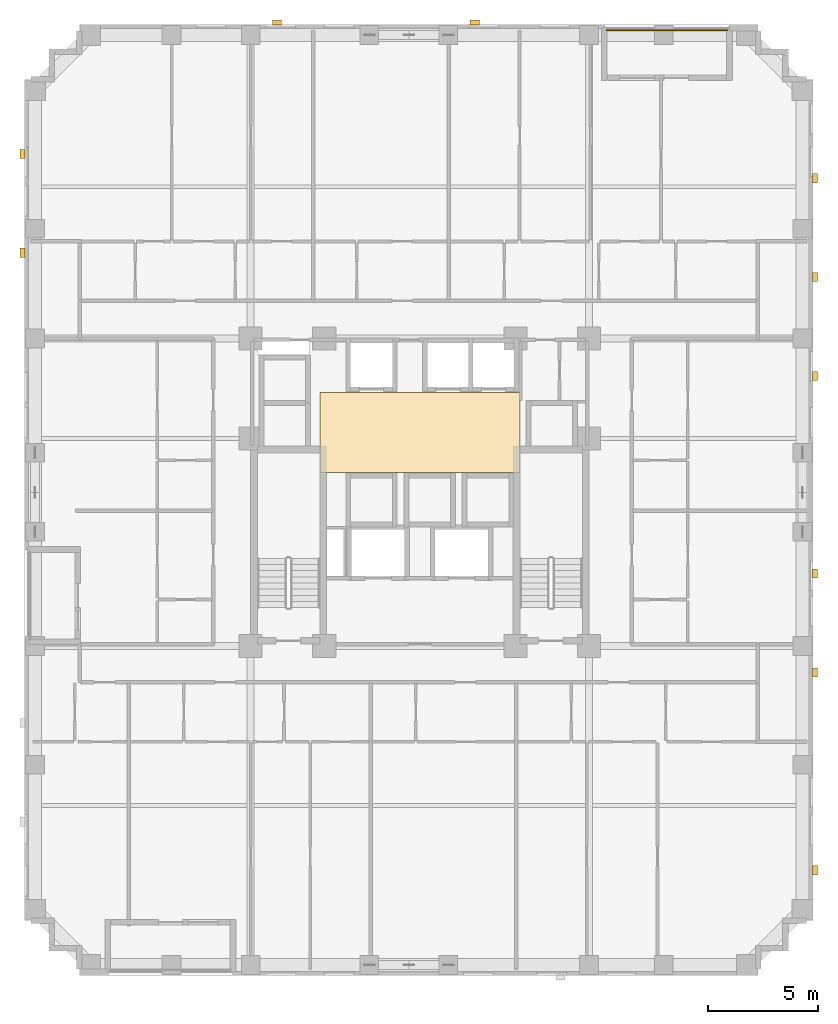
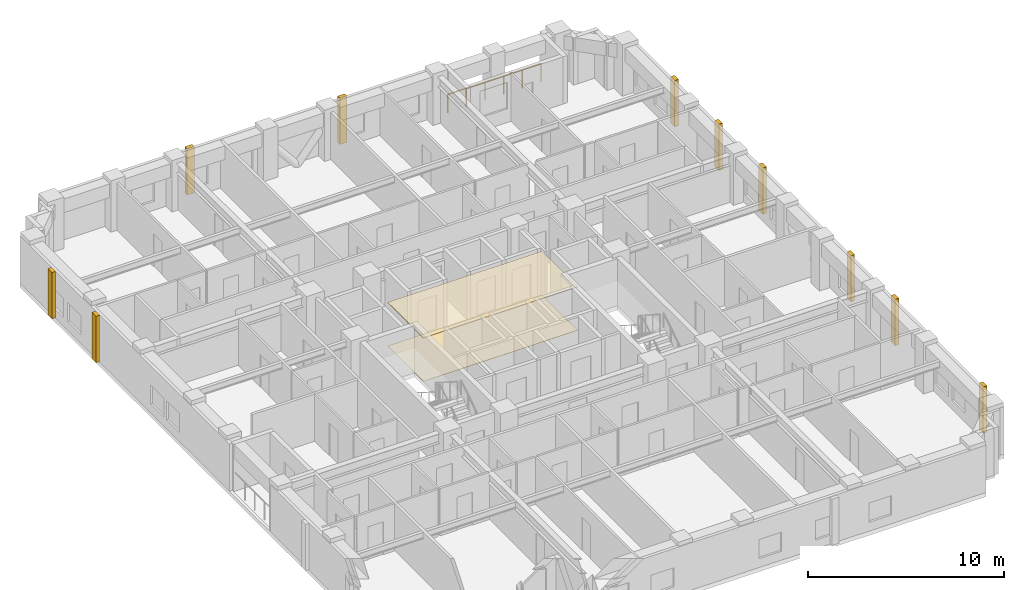
# One storey, part 12 of 12: 12 coverings, 1 railing.
"""IFC4 building model written with IfcOpenShell, lengths in metres."""

from ifc_helpers import new_model, si_unit, derived_unit, direction, frame, origin, origin_2d, place, context, subcontext, project, spatial, polyline, rectangle, circle, outline, extrude, material, layer, layer_set, type_object, element, save


model = new_model("IFC4")

# Units and contexts
model_context = context("Model", 3, precision=1e-05, world=origin(), true_north=direction((0.0, 1.0)))
body_context = subcontext(model_context, "Body", "Model", "MODEL_VIEW")
ifc_project = project(units=[si_unit("LENGTHUNIT", "METRE"), si_unit("AREAUNIT", "SQUARE_METRE"), si_unit("VOLUMEUNIT", "CUBIC_METRE"), si_unit("PLANEANGLEUNIT", "RADIAN"), si_unit("MASSUNIT", "GRAM", prefix="KILO"), derived_unit("THERMALTRANSMITTANCEUNIT", [(si_unit("MASSUNIT", "GRAM", prefix="KILO"), 1), (si_unit("TIMEUNIT", "SECOND"), -3), (si_unit("THERMODYNAMICTEMPERATUREUNIT", "KELVIN"), -1)])], contexts=[model_context])

# Site, building, storey
site_placement = place(None, origin())
site = spatial("IfcSite", under=ifc_project, at=site_placement, CompositionType="ELEMENT")
building_placement = place(site_placement, origin())
building = spatial("IfcBuilding", under=site, at=building_placement, Name="Korrvale Station Residences", CompositionType="ELEMENT")
storey_placement = place(building_placement, frame((0.0, 0.0, 91.10009765625)))
storey = spatial("IfcBuildingStorey", under=building, at=storey_placement, Name="L25", CompositionType="ELEMENT", Elevation=91.10009765625)

# Coverings
ifc_material_1 = material(Name="Perforated acoustic mineral-fibre suspended ceiling", Category="gypsum")
ifc_layer_1 = layer(ifc_material_1, 0.050048828125, Name="Perforated acoustic mineral-fibre suspended ceiling")
ifc_layer_set_1 = layer_set([ifc_layer_1], Name="Perforated acoustic mineral-fibre suspended ceiling")
covering_type_1 = type_object("IfcCoveringType", Name="COV-CLG-AC60", PredefinedType="CEILING", material=ifc_layer_set_1)
covering_1_placement = place(storey_placement, frame((0.0, 0.0, 2.68994140625)))
element("IfcCovering", 1, at=covering_1_placement, inside=storey, type_object=covering_type_1, Name="L25 Elevator Lobby Acoustic Ceiling", PredefinedType="CEILING", context=body_context, shape_type="SweptSolid", body=[
    extrude(outline(polyline([(20.949951171875, 22.89990234375), (30.050048828125, 22.89990234375), (30.050048828125, 26.550048828125), (20.949951171875, 26.550048828125), (20.949951171875, 22.89990234375)])), origin(), (0.0, 0.0, 1.0), 0.050048828125),
])
ifc_material_2 = material(Name="Polished quartz-terrazzo lobby flooring", Category="masonry")
ifc_layer_2 = layer(ifc_material_2, 0.02001953125, Name="Polished quartz-terrazzo lobby flooring")
ifc_layer_set_2 = layer_set([ifc_layer_2], Name="Polished quartz-terrazzo lobby flooring")
covering_type_2 = type_object("IfcCoveringType", Name="COV-FLR-TER20", PredefinedType="FLOORING", material=ifc_layer_set_2)
covering_2_placement = place(storey_placement, origin())
element("IfcCovering", 2, at=covering_2_placement, inside=storey, type_object=covering_type_2, Name="L25 Elevator Lobby Terrazzo Flooring", PredefinedType="FLOORING", context=body_context, shape_type="SweptSolid", body=[
    extrude(outline(polyline([(20.949951171875, 22.89990234375), (30.050048828125, 22.89990234375), (30.050048828125, 26.550048828125), (20.949951171875, 26.550048828125), (20.949951171875, 22.89990234375)])), origin(), (0.0, 0.0, 1.0), 0.02001953125),
])
ifc_material_3 = material(Name="Architectural precast concrete C45/55", Category="concrete")
ifc_layer_3 = layer(ifc_material_3, 0.219970703125, Name="Architectural precast concrete C45/55")
ifc_layer_set_3 = layer_set([ifc_layer_3], Name="Architectural precast concrete C45/55")
covering_type_3 = type_object("IfcCoveringType", Name="COV-PIER-400", PredefinedType="CLADDING", material=ifc_layer_set_3)
for number, where, z_axis, x_axis, name in (
    (3, (19.0, 43.389892578125, 0.02490234375), (0.0, 0.0, 1.0), (1.0, 0.0, 0.0), "L25 Architectural Precast Facade Pier 02"),
    (4, (28.0, 43.389892578125, 0.02490234375), (0.0, 0.0, 1.0), (1.0, 0.0, 0.0), "L25 Architectural Precast Facade Pier 03"),
    (5, (7.409912109375, 32.89990234375, 0.02490234375), (0.0, 0.0, 1.0), (0.0, 1.0, 0.0), "L25 Architectural Precast Facade Pier 06"),
    (6, (7.409912109375, 37.39990234375, 0.02490234375), (0.0, 0.0, 1.0), (0.0, 1.0, 0.0), "L25 Architectural Precast Facade Pier 07"),
    (7, (43.489990234375, 36.300048828125, 0.02490234375), (0.0, 0.0, 1.0), (0.0, 1.0, 0.0), "L25 Architectural Precast Facade Pier 08"),
    (8, (43.489990234375, 31.800048828125, 0.02490234375), (0.0, 0.0, 1.0), (0.0, 1.0, 0.0), "L25 Architectural Precast Facade Pier 09"),
    (9, (43.489990234375, 27.300048828125, 0.02490234375), (0.0, 0.0, 1.0), (0.0, 1.0, 0.0), "L25 Architectural Precast Facade Pier 10"),
    (10, (43.489990234375, 18.300048828125, 0.02490234375), (0.0, 0.0, 1.0), (0.0, 1.0, 0.0), "L25 Architectural Precast Facade Pier 11"),
    (11, (43.489990234375, 13.800048828125, 0.02490234375), (0.0, 0.0, 1.0), (0.0, 1.0, 0.0), "L25 Architectural Precast Facade Pier 12"),
    (12, (43.489990234375, 4.800048828125, 0.02490234375), (0.0, 0.0, 1.0), (0.0, 1.0, 0.0), "L25 Architectural Precast Facade Pier 13"),
):
    element("IfcCovering", number, at=place(storey_placement, frame(where, z_axis=z_axis, x_axis=x_axis)), inside=storey, type_object=covering_type_3, Name=name, PredefinedType="CLADDING", context=body_context, shape_type="SweptSolid", body=[
        extrude(rectangle(XDim=0.419921875, YDim=0.219970703125, at=origin_2d()), origin(), (0.0, 0.0, 1.0), 2.889892578125),
    ])

# Railing
ifc_material_4 = material(Name="Powder-coated aluminium picket loggia guard", Category="aluminium")
railing_type = type_object("IfcRailingType", Name="RLG-BAL-1150", PredefinedType="GUARDRAIL", material=ifc_material_4)
railing_placement = place(storey_placement, frame((34.0, 43.030029296875, 0.0)))
element("IfcRailing", 13, at=railing_placement, inside=storey, type_object=railing_type, Name="L25 Recessed Loggia Guardrail BAL-L25-N1", PredefinedType="GUARDRAIL", context=body_context, shape_type="SweptSolid", body=[
    extrude(circle(Radius=0.02392578125, at=origin_2d()), frame((0.0, 0.0, 1.1259765625), z_axis=(1.0, 0.0, 0.0), x_axis=(0.0, 1.0, 0.0)), (0.0, 0.0, 1.0), 5.5),
    extrude(circle(Radius=0.02099609375, at=origin_2d()), origin(), (0.0, 0.0, 1.0), 1.101806640625),
    extrude(circle(Radius=0.02099609375, at=origin_2d()), frame((1.10009765625, 0.0, 0.0)), (0.0, 0.0, 1.0), 1.101806640625),
    extrude(circle(Radius=0.02099609375, at=origin_2d()), frame((2.199951171875, 0.0, 0.0)), (0.0, 0.0, 1.0), 1.101806640625),
    extrude(circle(Radius=0.02099609375, at=origin_2d()), frame((3.300048828125, 0.0, 0.0)), (0.0, 0.0, 1.0), 1.101806640625),
    extrude(circle(Radius=0.02099609375, at=origin_2d()), frame((4.39990234375, 0.0, 0.0)), (0.0, 0.0, 1.0), 1.101806640625),
    extrude(circle(Radius=0.02099609375, at=origin_2d()), frame((5.5, 0.0, 0.0)), (0.0, 0.0, 1.0), 1.101806640625),
])

save(model, "model.ifc")
